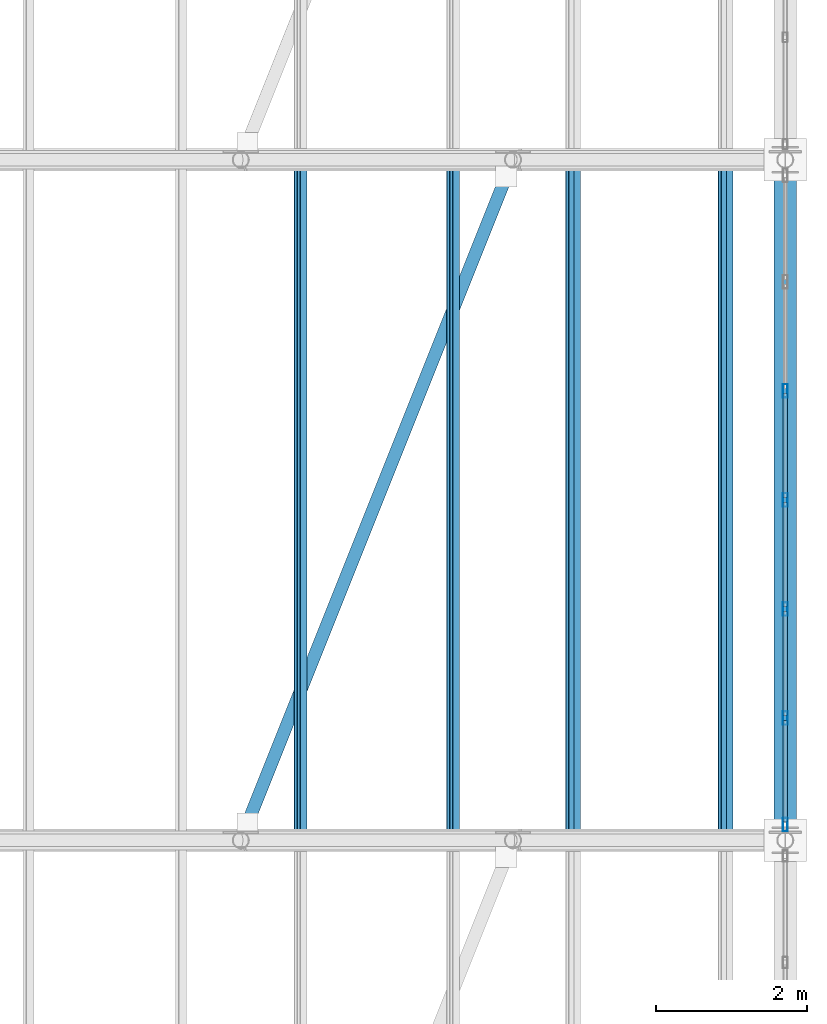
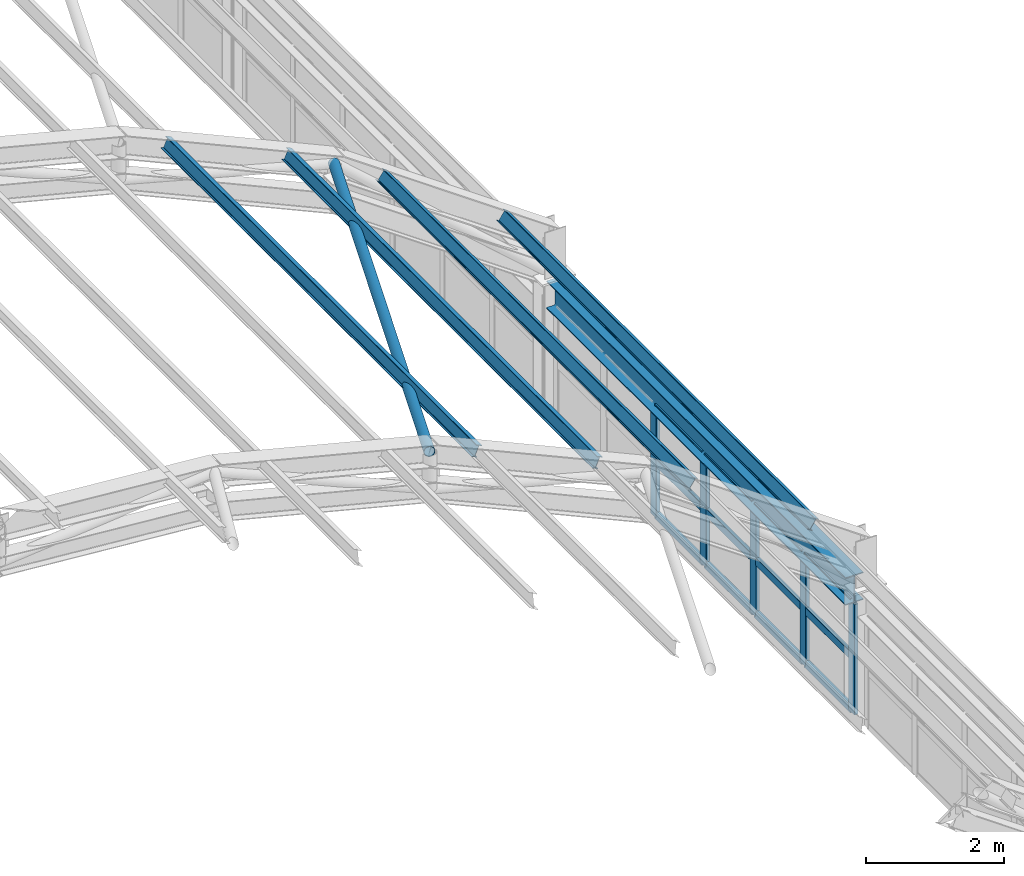
# One storey, part 62 of 121: 22 members, 1 beam, 1 element without a shape of its own.
"""IFC4 building model written with IfcOpenShell, lengths in metres."""

from ifc_helpers import new_model, si_unit, direction, frame, origin, origin_2d, place, context, subcontext, project, spatial, hollow_rectangle, hollow_circle, i_section, extrude, material, material_profile, profile_set, type_object, element, aggregate, save


model = new_model("IFC4")

# Units and contexts
model_context = context("Model", 3, precision=1e-05, world=origin(), true_north=direction((0.0, 1.0)))
body_context = subcontext(model_context, "Body", "Model", "MODEL_VIEW")
ifc_project = project(units=[si_unit("LENGTHUNIT", "METRE"), si_unit("AREAUNIT", "SQUARE_METRE"), si_unit("VOLUMEUNIT", "CUBIC_METRE"), si_unit("PLANEANGLEUNIT", "RADIAN"), si_unit("MASSUNIT", "GRAM", prefix="KILO")], contexts=[model_context])

# Site, building, storey
site_placement = place(None, origin())
site = spatial("IfcSite", under=ifc_project, at=site_placement, CompositionType="ELEMENT")
building_placement = place(site_placement, origin())
building = spatial("IfcBuilding", under=site, at=building_placement, Name="Canglan Escarpment Cableway Terminal", CompositionType="ELEMENT")
storey_placement = place(building_placement, frame((0.0, 0.0, 24.60009765625)))
storey = spatial("IfcBuildingStorey", under=building, at=storey_placement, Name="L05", CompositionType="ELEMENT", Elevation=24.60009765625)

# Beam
ifc_material_1 = material(Name="Steel Q355B", Category="steel")
ifc_material_profile_1 = material_profile(ifc_material_1, i_section(OverallWidth=0.300048828125, OverallDepth=0.488037109375, WebThickness=0.010986328125, FlangeThickness=0.01806640625, FilletRadius=0.02587890625, at=origin_2d()), Name="HM 488x300x11x18")
ifc_profile_set_1 = profile_set([ifc_material_profile_1], Name="Steel Q355B")
beam_type = type_object("IfcBeamType", Name="BM-HM488", PredefinedType="BEAM", material=ifc_profile_set_1)
beam_placement = place(storey_placement, frame((166.39990234375, 97.175048828125, 2.1884765625), z_axis=(0.0, 1.0, 0.0), x_axis=(-1.0, 0.0, 0.0)))
element("IfcBeam", 1, at=beam_placement, inside=storey, type_object=beam_type, Name="Vault springing ring girder B-09", PredefinedType="BEAM", context=body_context, shape_type="SweptSolid", body=[
    extrude(i_section(OverallWidth=0.300048828125, OverallDepth=0.488037109375, WebThickness=0.010986328125, FlangeThickness=0.01806640625, FilletRadius=0.02587890625, at=origin_2d()), origin(), (0.0, 0.0, 1.0), 8.64990234375),
])

# Curtain wall, members
ifc_material_2 = material(Name="Anodized bronze aluminium and Low-E double glazing", Category="aluminium")
curtain_wall_type = type_object("IfcCurtainWallType", Name="CW-BAY-8650x1950", PredefinedType="NOTDEFINED", material=ifc_material_2)
curtain_wall_placement = place(storey_placement, origin())
curtain_wall = element("IfcCurtainWall", 2, at=curtain_wall_placement, inside=storey, type_object=curtain_wall_type, Name="Classical bay-between-piers glazed curtain wall CW-66", PredefinedType="NOTDEFINED")
ifc_material_3 = material(Name="Thermally broken anodized aluminium 6063-T6", Category="aluminium")
ifc_material_profile_2 = material_profile(ifc_material_3, hollow_rectangle(XDim=0.06494140625, YDim=0.179931640625, WallThickness=0.00390625, InnerFilletRadius=0.00390625, OuterFilletRadius=0.008056640625, at=origin_2d()), Name="ALU-MULL 65x180x4")
ifc_profile_set_2 = profile_set([ifc_material_profile_2], Name="Thermally broken anodized aluminium 6063-T6")
member_type_1 = type_object("IfcMemberType", Name="CWM-03", PredefinedType="MULLION", material=ifc_profile_set_2)
member_1_placement = place(storey_placement, frame((166.39990234375, 97.20751953125, 0.0), z_axis=(0.0, 0.0, 1.0), x_axis=(-1.0, 0.0, 0.0)))
member_1 = element("IfcMember", 3, at=member_1_placement, type_object=member_type_1, Name="CW-66 mullion 1", PredefinedType="MULLION", context=body_context, shape_type="SweptSolid", body=[
    extrude(hollow_rectangle(XDim=0.06494140625, YDim=0.179931640625, WallThickness=0.00390625, InnerFilletRadius=0.00390625, OuterFilletRadius=0.008056640625, at=origin_2d()), origin(), (0.0, 0.0, 1.0), 1.949951171875),
])
member_2_placement = place(storey_placement, frame((166.39990234375, 98.61669921875, 0.0), z_axis=(0.0, 0.0, 1.0), x_axis=(-1.0, 0.0, 0.0)))
member_2 = element("IfcMember", 4, at=member_2_placement, type_object=member_type_1, Name="CW-66 mullion 2", PredefinedType="MULLION", context=body_context, shape_type="SweptSolid", body=[
    extrude(hollow_rectangle(XDim=0.06494140625, YDim=0.179931640625, WallThickness=0.00390625, InnerFilletRadius=0.00390625, OuterFilletRadius=0.008056640625, at=origin_2d()), origin(), (0.0, 0.0, 1.0), 1.949951171875),
])
member_3_placement = place(storey_placement, frame((166.39990234375, 100.058349609375, 0.0), z_axis=(0.0, 0.0, 1.0), x_axis=(-1.0, 0.0, 0.0)))
member_3 = element("IfcMember", 5, at=member_3_placement, type_object=member_type_1, Name="CW-66 mullion 3", PredefinedType="MULLION", context=body_context, shape_type="SweptSolid", body=[
    extrude(hollow_rectangle(XDim=0.06494140625, YDim=0.179931640625, WallThickness=0.00390625, InnerFilletRadius=0.00390625, OuterFilletRadius=0.008056640625, at=origin_2d()), origin(), (0.0, 0.0, 1.0), 1.949951171875),
])
member_4_placement = place(storey_placement, frame((166.39990234375, 101.5, 0.0), z_axis=(0.0, 0.0, 1.0), x_axis=(-1.0, 0.0, 0.0)))
member_4 = element("IfcMember", 6, at=member_4_placement, type_object=member_type_1, Name="CW-66 mullion 4", PredefinedType="MULLION", context=body_context, shape_type="SweptSolid", body=[
    extrude(hollow_rectangle(XDim=0.06494140625, YDim=0.179931640625, WallThickness=0.00390625, InnerFilletRadius=0.00390625, OuterFilletRadius=0.008056640625, at=origin_2d()), origin(), (0.0, 0.0, 1.0), 1.949951171875),
])
member_5_placement = place(storey_placement, frame((166.39990234375, 102.941650390625, 0.0), z_axis=(0.0, 0.0, 1.0), x_axis=(-1.0, 0.0, 0.0)))
member_5 = element("IfcMember", 7, at=member_5_placement, type_object=member_type_1, Name="CW-66 mullion 5", PredefinedType="MULLION", context=body_context, shape_type="SweptSolid", body=[
    extrude(hollow_rectangle(XDim=0.06494140625, YDim=0.179931640625, WallThickness=0.00390625, InnerFilletRadius=0.00390625, OuterFilletRadius=0.008056640625, at=origin_2d()), origin(), (0.0, 0.0, 1.0), 1.949951171875),
])
ifc_material_profile_3 = material_profile(ifc_material_3, hollow_rectangle(XDim=0.06494140625, YDim=0.139892578125, WallThickness=0.00341796875, InnerFilletRadius=0.00341796875, OuterFilletRadius=0.007080078125, at=origin_2d()), Name="ALU-TRAN 65x140x3.5")
ifc_profile_set_3 = profile_set([ifc_material_profile_3], Name="Thermally broken anodized aluminium 6063-T6")
member_type_2 = type_object("IfcMemberType", Name="CWT-03", PredefinedType="USERDEFINED", material=ifc_profile_set_3)
member_6_placement = place(storey_placement, frame((166.39990234375, 97.239990234375, 0.032470703125), z_axis=(0.0, 1.0, 0.0), x_axis=(-1.0, 0.0, 0.0)))
member_6 = element("IfcMember", 8, at=member_6_placement, type_object=member_type_2, Name="CW-66 transom 1.1", ObjectType="TRANSOM", PredefinedType="USERDEFINED", context=body_context, shape_type="SweptSolid", body=[
    extrude(hollow_rectangle(XDim=0.06494140625, YDim=0.139892578125, WallThickness=0.00341796875, InnerFilletRadius=0.00341796875, OuterFilletRadius=0.007080078125, at=origin_2d()), origin(), (0.0, 0.0, 1.0), 1.34423828125),
])
member_7_placement = place(storey_placement, frame((166.39990234375, 97.239990234375, 0.974853515625), z_axis=(0.0, 1.0, 0.0), x_axis=(-1.0, 0.0, 0.0)))
member_7 = element("IfcMember", 9, at=member_7_placement, type_object=member_type_2, Name="CW-66 transom 1.2", ObjectType="TRANSOM", PredefinedType="USERDEFINED", context=body_context, shape_type="SweptSolid", body=[
    extrude(hollow_rectangle(XDim=0.06494140625, YDim=0.139892578125, WallThickness=0.00341796875, InnerFilletRadius=0.00341796875, OuterFilletRadius=0.007080078125, at=origin_2d()), origin(), (0.0, 0.0, 1.0), 1.34423828125),
])
member_8_placement = place(storey_placement, frame((166.39990234375, 97.239990234375, 1.91748046875), z_axis=(0.0, 1.0, 0.0), x_axis=(-1.0, 0.0, 0.0)))
member_8 = element("IfcMember", 10, at=member_8_placement, type_object=member_type_2, Name="CW-66 transom 1.3", ObjectType="TRANSOM", PredefinedType="USERDEFINED", context=body_context, shape_type="SweptSolid", body=[
    extrude(hollow_rectangle(XDim=0.06494140625, YDim=0.139892578125, WallThickness=0.00341796875, InnerFilletRadius=0.00341796875, OuterFilletRadius=0.007080078125, at=origin_2d()), origin(), (0.0, 0.0, 1.0), 1.34423828125),
])
member_9_placement = place(storey_placement, frame((166.39990234375, 98.649169921875, 0.032470703125), z_axis=(0.0, 1.0, 0.0), x_axis=(-1.0, 0.0, 0.0)))
member_9 = element("IfcMember", 11, at=member_9_placement, type_object=member_type_2, Name="CW-66 transom 2.1", ObjectType="TRANSOM", PredefinedType="USERDEFINED", context=body_context, shape_type="SweptSolid", body=[
    extrude(hollow_rectangle(XDim=0.06494140625, YDim=0.139892578125, WallThickness=0.00341796875, InnerFilletRadius=0.00341796875, OuterFilletRadius=0.007080078125, at=origin_2d()), origin(), (0.0, 0.0, 1.0), 1.376708984375),
])
member_10_placement = place(storey_placement, frame((166.39990234375, 98.649169921875, 0.974853515625), z_axis=(0.0, 1.0, 0.0), x_axis=(-1.0, 0.0, 0.0)))
member_10 = element("IfcMember", 12, at=member_10_placement, type_object=member_type_2, Name="CW-66 transom 2.2", ObjectType="TRANSOM", PredefinedType="USERDEFINED", context=body_context, shape_type="SweptSolid", body=[
    extrude(hollow_rectangle(XDim=0.06494140625, YDim=0.139892578125, WallThickness=0.00341796875, InnerFilletRadius=0.00341796875, OuterFilletRadius=0.007080078125, at=origin_2d()), origin(), (0.0, 0.0, 1.0), 1.376708984375),
])
member_11_placement = place(storey_placement, frame((166.39990234375, 98.649169921875, 1.91748046875), z_axis=(0.0, 1.0, 0.0), x_axis=(-1.0, 0.0, 0.0)))
member_11 = element("IfcMember", 13, at=member_11_placement, type_object=member_type_2, Name="CW-66 transom 2.3", ObjectType="TRANSOM", PredefinedType="USERDEFINED", context=body_context, shape_type="SweptSolid", body=[
    extrude(hollow_rectangle(XDim=0.06494140625, YDim=0.139892578125, WallThickness=0.00341796875, InnerFilletRadius=0.00341796875, OuterFilletRadius=0.007080078125, at=origin_2d()), origin(), (0.0, 0.0, 1.0), 1.376708984375),
])
member_12_placement = place(storey_placement, frame((166.39990234375, 100.0908203125, 0.032470703125), z_axis=(0.0, 1.0, 0.0), x_axis=(-1.0, 0.0, 0.0)))
member_12 = element("IfcMember", 14, at=member_12_placement, type_object=member_type_2, Name="CW-66 transom 3.1", ObjectType="TRANSOM", PredefinedType="USERDEFINED", context=body_context, shape_type="SweptSolid", body=[
    extrude(hollow_rectangle(XDim=0.06494140625, YDim=0.139892578125, WallThickness=0.00341796875, InnerFilletRadius=0.00341796875, OuterFilletRadius=0.007080078125, at=origin_2d()), origin(), (0.0, 0.0, 1.0), 1.376708984375),
])
member_13_placement = place(storey_placement, frame((166.39990234375, 100.0908203125, 0.974853515625), z_axis=(0.0, 1.0, 0.0), x_axis=(-1.0, 0.0, 0.0)))
member_13 = element("IfcMember", 15, at=member_13_placement, type_object=member_type_2, Name="CW-66 transom 3.2", ObjectType="TRANSOM", PredefinedType="USERDEFINED", context=body_context, shape_type="SweptSolid", body=[
    extrude(hollow_rectangle(XDim=0.06494140625, YDim=0.139892578125, WallThickness=0.00341796875, InnerFilletRadius=0.00341796875, OuterFilletRadius=0.007080078125, at=origin_2d()), origin(), (0.0, 0.0, 1.0), 1.376708984375),
])
member_14_placement = place(storey_placement, frame((166.39990234375, 100.0908203125, 1.91748046875), z_axis=(0.0, 1.0, 0.0), x_axis=(-1.0, 0.0, 0.0)))
member_14 = element("IfcMember", 16, at=member_14_placement, type_object=member_type_2, Name="CW-66 transom 3.3", ObjectType="TRANSOM", PredefinedType="USERDEFINED", context=body_context, shape_type="SweptSolid", body=[
    extrude(hollow_rectangle(XDim=0.06494140625, YDim=0.139892578125, WallThickness=0.00341796875, InnerFilletRadius=0.00341796875, OuterFilletRadius=0.007080078125, at=origin_2d()), origin(), (0.0, 0.0, 1.0), 1.376708984375),
])
member_15_placement = place(storey_placement, frame((166.39990234375, 101.532470703125, 0.032470703125), z_axis=(0.0, 1.0, 0.0), x_axis=(-1.0, 0.0, 0.0)))
member_15 = element("IfcMember", 17, at=member_15_placement, type_object=member_type_2, Name="CW-66 transom 4.1", ObjectType="TRANSOM", PredefinedType="USERDEFINED", context=body_context, shape_type="SweptSolid", body=[
    extrude(hollow_rectangle(XDim=0.06494140625, YDim=0.139892578125, WallThickness=0.00341796875, InnerFilletRadius=0.00341796875, OuterFilletRadius=0.007080078125, at=origin_2d()), origin(), (0.0, 0.0, 1.0), 1.376708984375),
])
member_16_placement = place(storey_placement, frame((166.39990234375, 101.532470703125, 0.974853515625), z_axis=(0.0, 1.0, 0.0), x_axis=(-1.0, 0.0, 0.0)))
member_16 = element("IfcMember", 18, at=member_16_placement, type_object=member_type_2, Name="CW-66 transom 4.2", ObjectType="TRANSOM", PredefinedType="USERDEFINED", context=body_context, shape_type="SweptSolid", body=[
    extrude(hollow_rectangle(XDim=0.06494140625, YDim=0.139892578125, WallThickness=0.00341796875, InnerFilletRadius=0.00341796875, OuterFilletRadius=0.007080078125, at=origin_2d()), origin(), (0.0, 0.0, 1.0), 1.376708984375),
])
member_17_placement = place(storey_placement, frame((166.39990234375, 101.532470703125, 1.91748046875), z_axis=(0.0, 1.0, 0.0), x_axis=(-1.0, 0.0, 0.0)))
member_17 = element("IfcMember", 19, at=member_17_placement, type_object=member_type_2, Name="CW-66 transom 4.3", ObjectType="TRANSOM", PredefinedType="USERDEFINED", context=body_context, shape_type="SweptSolid", body=[
    extrude(hollow_rectangle(XDim=0.06494140625, YDim=0.139892578125, WallThickness=0.00341796875, InnerFilletRadius=0.00341796875, OuterFilletRadius=0.007080078125, at=origin_2d()), origin(), (0.0, 0.0, 1.0), 1.376708984375),
])
aggregate(curtain_wall, [member_1, member_2, member_3, member_4, member_5, member_6, member_7, member_8, member_9, member_10, member_11, member_12, member_13, member_14, member_15, member_16, member_17])

# Members
ifc_material_profile_4 = material_profile(ifc_material_1, hollow_circle(Radius=0.084228515625, WallThickness=0.006103515625, at=origin_2d()), Name="CHS 168.3x6")
ifc_profile_set_4 = profile_set([ifc_material_profile_4], Name="Steel Q355B")
member_type_3 = type_object("IfcMemberType", Name="MB-ROOF-BR-CHS168", PredefinedType="BRACE", material=ifc_profile_set_4)
member_18_placement = place(storey_placement, frame((159.199951171875, 97.0, 7.23828125), z_axis=(0.366307573698, 0.915744093096, -0.165019748547), x_axis=(-0.928473216852, 0.37139936132, 0.0)))
element("IfcMember", 20, at=member_18_placement, inside=storey, type_object=member_type_3, Name="Vault roof plane wind brace BR-03", PredefinedType="BRACE", context=body_context, shape_type="SweptSolid", body=[
    extrude(hollow_circle(Radius=0.084228515625, WallThickness=0.006103515625, at=origin_2d()), origin(), (0.0, 0.0, 1.0), 9.828125),
])
ifc_material_profile_5 = material_profile(ifc_material_1, i_section(OverallWidth=0.10009765625, OverallDepth=0.199951171875, WebThickness=0.005615234375, FlangeThickness=0.008056640625, FilletRadius=0.010986328125, at=origin_2d()), Name="HN 200x100x5.5x8")
ifc_profile_set_5 = profile_set([ifc_material_profile_5], Name="Steel Q355B")
member_type_4 = type_object("IfcMemberType", Name="MB-VAULT-PUR-HN200", PredefinedType="PURLIN", material=ifc_profile_set_5)
for number, where, z_axis, x_axis, name in (
    (21, (159.991943359375, 97.0, 6.968017578125), (0.0, 1.0, 0.0), (-0.911740537138, 0.0, 0.410766591799), "Barrel-vault roof purlin PR-01"),
    (22, (162.008056640625, 97.0, 6.059814453125), (0.0, 1.0, 0.0), (-0.911740537138, 0.0, 0.410766591799), "Barrel-vault roof purlin PR-01"),
    (23, (163.592041015625, 97.0, 5.1318359375), (0.0, 1.0, 0.0), (-0.817727996784, 0.0, 0.575604832568), "Barrel-vault roof purlin PR-01"),
    (24, (165.60791015625, 97.0, 3.712890625), (0.0, 1.0, 0.0), (-0.817727996784, 0.0, 0.575604832568), "Barrel-vault roof purlin PR-01"),
):
    element("IfcMember", number, at=place(storey_placement, frame(where, z_axis=z_axis, x_axis=x_axis)), inside=storey, type_object=member_type_4, Name=name, PredefinedType="PURLIN", context=body_context, shape_type="SweptSolid", body=[
        extrude(i_section(OverallWidth=0.10009765625, OverallDepth=0.199951171875, WebThickness=0.005615234375, FlangeThickness=0.008056640625, FilletRadius=0.010986328125, at=origin_2d()), origin(), (0.0, 0.0, 1.0), 9.0),
    ])

save(model, "model.ifc")
